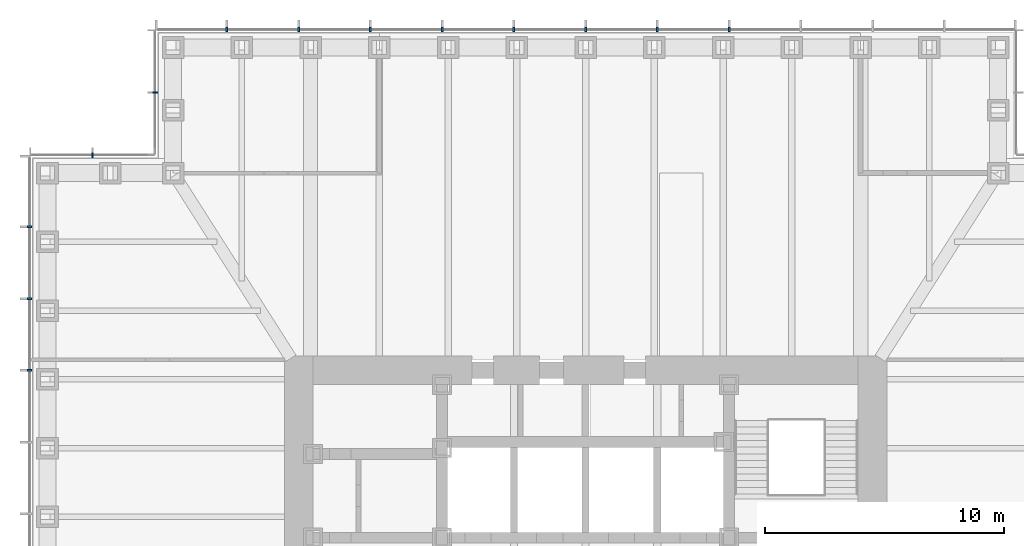
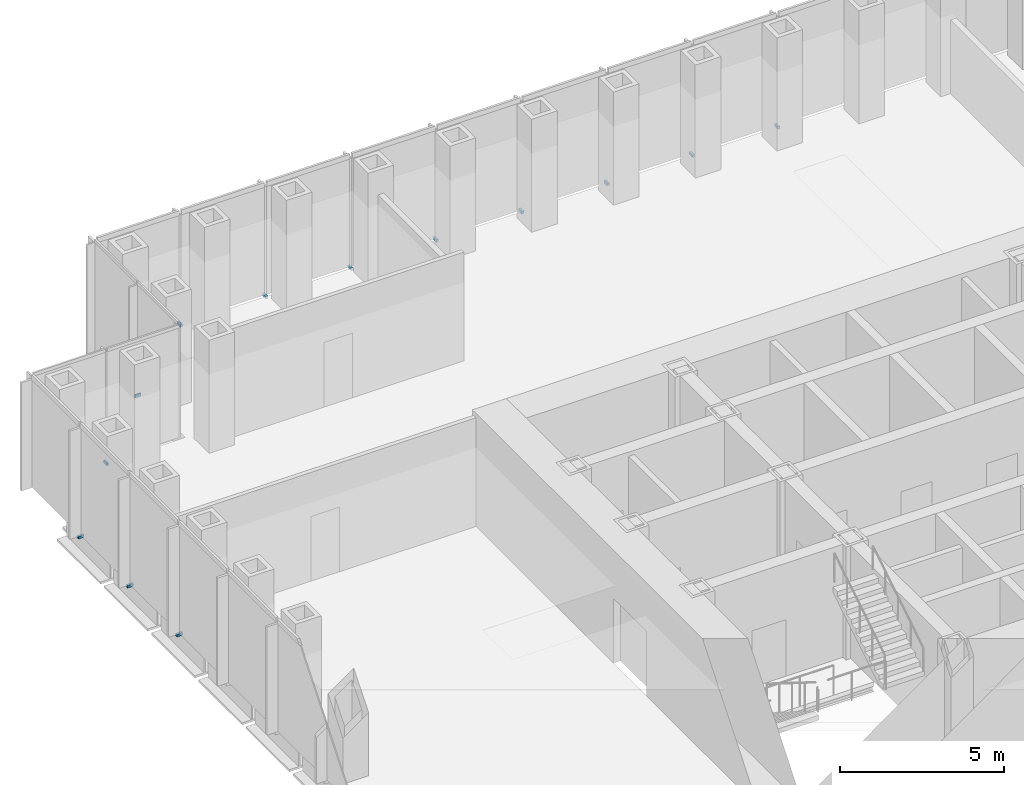
# One storey, part 14 of 16: 13 discrete accessories.
"""IFC4 building model written with IfcOpenShell, lengths in metres."""

from ifc_helpers import new_model, si_unit, direction, frame, origin, origin_2d, place, context, subcontext, project, spatial, rectangle, extrude, element, save


model = new_model("IFC4")

# Units and contexts
model_context = context("Model", 3, precision=1e-05, world=origin(), true_north=direction((0.0, 1.0)))
body_context = subcontext(model_context, "Body", "Model", "MODEL_VIEW")
ifc_project = project(units=[si_unit("LENGTHUNIT", "METRE"), si_unit("AREAUNIT", "SQUARE_METRE"), si_unit("VOLUMEUNIT", "CUBIC_METRE"), si_unit("PLANEANGLEUNIT", "RADIAN"), si_unit("MASSUNIT", "GRAM", prefix="KILO")], contexts=[model_context])

# Site, building, storey
site_placement = place(None, origin())
site = spatial("IfcSite", under=ifc_project, at=site_placement, CompositionType="ELEMENT")
building_placement = place(site_placement, origin())
building = spatial("IfcBuilding", under=site, at=building_placement, Name="Daluyong Arena Tower", CompositionType="ELEMENT")
storey_placement = place(building_placement, frame((0.0, 0.0, 120.699951171875)))
storey = spatial("IfcBuildingStorey", under=building, at=storey_placement, Name="L26", CompositionType="ELEMENT", Elevation=120.699951171875)

# Discrete accessories
for number, where, z_axis, x_axis, name in (
    (1, (62.0, 103.25, -0.10009765625), (0.0, 0.0, 1.0), (-1.0, 0.0, 0.0), "curtain wall L26 N anchor bracket 5"),
    (2, (59.0, 103.25, -0.10009765625), (0.0, 0.0, 1.0), (-1.0, 0.0, 0.0), "curtain wall L26 N anchor bracket 6"),
    (3, (56.0, 103.25, -0.10009765625), (0.0, 0.0, 1.0), (-1.0, 0.0, 0.0), "curtain wall L26 N anchor bracket 7"),
    (4, (53.0, 103.25, -0.10009765625), (0.0, 0.0, 1.0), (-1.0, 0.0, 0.0), "curtain wall L26 N anchor bracket 8"),
    (5, (50.0, 103.25, -0.10009765625), (0.0, 0.0, 1.0), (-1.0, 0.0, 0.0), "curtain wall L26 N anchor bracket 9"),
    (6, (47.0, 103.25, -0.10009765625), (0.0, 0.0, 1.0), (-1.0, 0.0, 0.0), "curtain wall L26 N anchor bracket 10"),
    (7, (44.0, 103.25, -0.10009765625), (0.0, 0.0, 1.0), (-1.0, 0.0, 0.0), "curtain wall L26 N anchor bracket 11"),
    (8, (41.0, 103.25, -0.10009765625), (0.0, 0.0, 1.0), (-1.0, 0.0, 0.0), "curtain wall L26 N anchor bracket 12"),
):
    element("IfcDiscreteAccessory", number, at=place(storey_placement, frame(where, z_axis=z_axis, x_axis=x_axis)), inside=storey, Name=name, PredefinedType="BRACKET", context=body_context, shape_type="SweptSolid", body=[
        extrude(rectangle(XDim=0.080078125, YDim=0.199951171875, at=origin_2d()), origin(), (0.0, 0.0, 1.0), 0.10009765625),
    ])
for number, where, z_axis, x_axis, name in (
    (9, (38.0, 100.625, -0.10009765625), (0.0, 0.0, 1.0), (0.0, -1.0, 0.0), "curtain wall L26 NW-W anchor bracket 2"),
    (10, (35.375, 98.0, -0.10009765625), (0.0, 0.0, 1.0), (-1.0, 0.0, 0.0), "curtain wall L26 NW-N anchor bracket 2"),
):
    element("IfcDiscreteAccessory", number, at=place(storey_placement, frame(where, z_axis=z_axis, x_axis=x_axis)), inside=storey, Name=name, PredefinedType="BRACKET", context=body_context, shape_type="SweptSolid", body=[
        extrude(rectangle(XDim=0.06005859375, YDim=0.199951171875, at=origin_2d()), origin(), (0.0, 0.0, 1.0), 0.10009765625),
    ])
for number, where, z_axis, x_axis, name in (
    (11, (32.75, 95.0, -0.10009765625), (0.0, 0.0, 1.0), (0.0, -1.0, 0.0), "curtain wall L26 W anchor bracket 2"),
    (12, (32.75, 92.0, -0.10009765625), (0.0, 0.0, 1.0), (0.0, -1.0, 0.0), "curtain wall L26 W anchor bracket 3"),
    (13, (32.75, 89.0, -0.10009765625), (0.0, 0.0, 1.0), (0.0, -1.0, 0.0), "curtain wall L26 W anchor bracket 4"),
):
    element("IfcDiscreteAccessory", number, at=place(storey_placement, frame(where, z_axis=z_axis, x_axis=x_axis)), inside=storey, Name=name, PredefinedType="BRACKET", context=body_context, shape_type="SweptSolid", body=[
        extrude(rectangle(XDim=0.080078125, YDim=0.199951171875, at=origin_2d()), origin(), (0.0, 0.0, 1.0), 0.10009765625),
    ])

save(model, "model.ifc")
